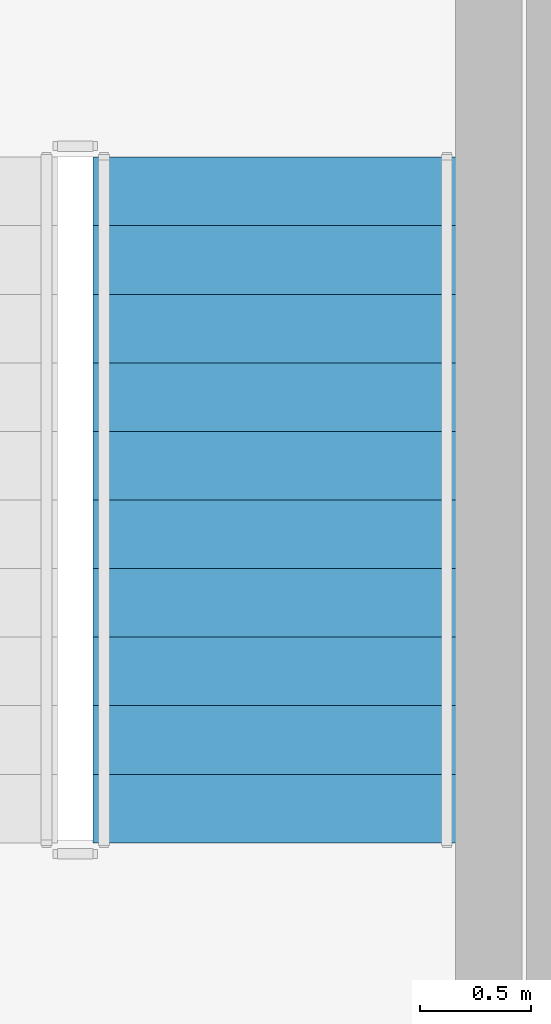
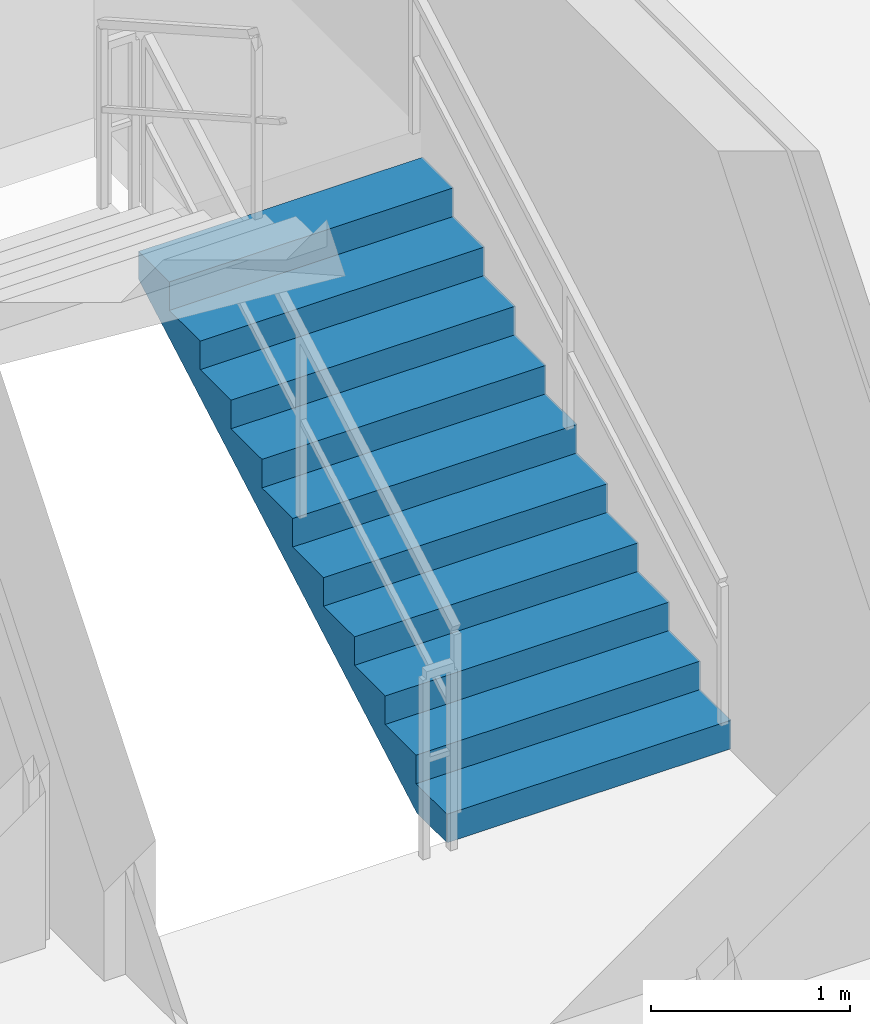
# One storey, part 7 of 12: 1 stair flight, 1 element without a shape of its own.
"""IFC4 building model written with IfcOpenShell, lengths in metres."""

import ifcopenshell
import ifcopenshell.guid

model = None  # the IFC model being written
_history = None  # IfcOwnerHistory: only IFC2X3 demands one
_inside = {}  # id of a spatial element -> (the spatial element, [elements in it])
_under = {}  # id of a project, library or spatial element -> (it, [spatial elements below it])
_declared = {}  # id of a project -> (the project, [libraries it declares])
_typed = {}  # id of a type object -> (the type object, [elements of that type])
_made_of = {}  # id of a material, layer set ... -> (it, [elements and type objects made of it])


def new_model(schema):
    """Start an empty IFC model of exactly this schema.

    Asked for "IFC4X3", IfcOpenShell would pick the latest addendum, in which some entities
    have other attributes; the version numbers below select the first issue.
    IFC2X3 requires an IfcOwnerHistory on every rooted entity: one is made here for all.
    """
    global model, _history
    if schema == "IFC4X3":
        model = ifcopenshell.file(schema_version=(4, 3, 0, 0))
    else:
        model = ifcopenshell.file(schema=schema)
    _inside.clear()
    _under.clear()
    _declared.clear()
    _typed.clear()
    _made_of.clear()
    _history = None
    if model.schema == "IFC2X3":
        org = make("IfcOrganization", Name="unknown")
        user = make(
            "IfcPersonAndOrganization",
            ThePerson=make("IfcPerson", FamilyName="unknown"),
            TheOrganization=org,
        )
        app = make(
            "IfcApplication",
            ApplicationDeveloper=org,
            Version="unknown",
            ApplicationFullName="unknown",
            ApplicationIdentifier="unknown",
        )
        _history = make(
            "IfcOwnerHistory",
            OwningUser=user,
            OwningApplication=app,
            ChangeAction="ADDED",
            CreationDate=0,
        )
    return model


def make(cls, **values):
    """One entity of the class cls with the attributes given. An attribute that is None is left unset."""
    return model.create_entity(
        cls, **{name: value for name, value in values.items() if value is not None}
    )


def rooted(cls, **values):
    """An entity with a GlobalId (a new one), such as an element, a storey or a relation."""
    return make(cls, GlobalId=ifcopenshell.guid.new(), OwnerHistory=_history, **values)


def si_unit(unit_type, name, prefix=None):
    """IfcSIUnit, for example si_unit("LENGTHUNIT", "METRE", prefix="MILLI")."""
    return make("IfcSIUnit", UnitType=unit_type, Prefix=prefix, Name=name)


def assignment(units):
    """IfcUnitAssignment: the units of a project."""
    return None if units is None else make("IfcUnitAssignment", Units=units)


def point(xyz):
    """IfcCartesianPoint."""
    return None if xyz is None else make("IfcCartesianPoint", Coordinates=xyz)


def direction(xyz):
    """IfcDirection."""
    return None if xyz is None else make("IfcDirection", DirectionRatios=xyz)


def frame(location, z_axis=None, x_axis=None):
    """IfcAxis2Placement3D, a coordinate frame: its origin and axes. An axis left out is left unset."""
    return make(
        "IfcAxis2Placement3D",
        Location=point(location),
        Axis=direction(z_axis),
        RefDirection=direction(x_axis),
    )


def origin():
    """The frame at (0, 0, 0) with its axes left unset."""
    return frame((0.0, 0.0, 0.0))


def place(relative_to, where):
    """IfcLocalPlacement: puts the frame where relative to a parent placement (None: the world)."""
    return make(
        "IfcLocalPlacement", PlacementRelTo=relative_to, RelativePlacement=where
    )


def context(
    kind, dimensions, precision=None, world=None, true_north=None, identifier=None
):
    """IfcGeometricRepresentationContext, for example the 3D "Model" context."""
    return make(
        "IfcGeometricRepresentationContext",
        ContextIdentifier=identifier,
        ContextType=kind,
        CoordinateSpaceDimension=dimensions,
        Precision=precision,
        WorldCoordinateSystem=world,
        TrueNorth=true_north,
    )


def subcontext(parent, identifier, kind, view, scale=None):
    """IfcGeometricRepresentationSubContext, for example "Body" below "Model"."""
    return make(
        "IfcGeometricRepresentationSubContext",
        ContextIdentifier=identifier,
        ContextType=kind,
        ParentContext=parent,
        TargetScale=scale,
        TargetView=view,
    )


def project(units=None, contexts=None):
    """IfcProject with its units and contexts."""
    return rooted(
        "IfcProject",
        Name="project",
        RepresentationContexts=contexts,
        UnitsInContext=assignment(units),
    )


def spatial(cls, under=None, at=None, **own):
    """A site, building, storey or space (cls), placed at a placement, below another one or the project."""
    s = rooted(cls, ObjectPlacement=at, **own)
    if under is not None:
        _under.setdefault(under.id(), (under, []))[1].append(s)
    return s


def polyline(points):
    """IfcPolyline through the points."""
    return make("IfcPolyline", Points=[point(p) for p in points])


def outline(outer, holes=None, kind="AREA"):
    """IfcArbitraryClosedProfileDef: a profile drawn as a closed curve; with holes, ...WithVoids."""
    if holes is None:
        return make("IfcArbitraryClosedProfileDef", ProfileType=kind, OuterCurve=outer)
    return make(
        "IfcArbitraryProfileDefWithVoids",
        ProfileType=kind,
        OuterCurve=outer,
        InnerCurves=holes,
    )


def extrude(swept, where, along, depth):
    """IfcExtrudedAreaSolid: the profile swept, set in the frame where, extruded along a direction by depth."""
    return make(
        "IfcExtrudedAreaSolid",
        SweptArea=swept,
        Position=where,
        ExtrudedDirection=direction(along),
        Depth=depth,
    )


def shape(context_of_items, identifier, shape_type, items):
    """IfcShapeRepresentation: the items that make up one representation, for example the "Body"."""
    return make(
        "IfcShapeRepresentation",
        ContextOfItems=context_of_items,
        RepresentationIdentifier=identifier,
        RepresentationType=shape_type,
        Items=items,
    )


def material(Name=None, Category=None):
    """IfcMaterial."""
    return make("IfcMaterial", Name=Name, Category=Category)


def made_of(thing, what):
    """Note that an element or type object is made of a material, layer set ...; save() writes the relation."""
    if what is not None:
        _made_of.setdefault(what.id(), (what, []))[1].append(thing)
    return thing


def type_object(cls, material=None, **own):
    """A type object (cls), such as IfcWallType, which elements share."""
    return made_of(rooted(cls, **own), material)


def element(
    cls,
    number,
    at=None,
    inside=None,
    cuts=None,
    type_object=None,
    material=None,
    context=None,
    identifier="Body",
    shape_type=None,
    held_by="IfcProductDefinitionShape",
    body=None,
    shapes=None,
    **own,
):
    """One element of the class cls, such as IfcWall. Its Tag is "e" and its number.

    at: its placement. inside: the storey or other place that contains it. cuts: it is an
    opening in that element (IfcRelVoidsElement). A single representation is given by context,
    identifier, shape_type and body (its items); several are given by shapes. held_by: the class
    of the entity that holds the representations. save() writes the other relations.
    """
    e = rooted(cls, Tag="e%d" % number, ObjectPlacement=at, **own)
    if body is not None:
        shapes = [shape(context, identifier, shape_type, body)]
    if shapes is not None:
        e.Representation = make(held_by, Representations=shapes)
    if inside is not None:
        _inside.setdefault(inside.id(), (inside, []))[1].append(e)
    if cuts is not None:
        rooted(
            "IfcRelVoidsElement", RelatingBuildingElement=cuts, RelatedOpeningElement=e
        )
    if type_object is not None:
        _typed.setdefault(type_object.id(), (type_object, []))[1].append(e)
    return made_of(e, material)


def aggregate(whole, parts):
    """IfcRelAggregates: a whole, such as a stair, and the parts it consists of."""
    return rooted("IfcRelAggregates", RelatingObject=whole, RelatedObjects=parts)


def save(model, path):
    """Write the relations noted so far, then the file.

    IfcRelAggregates (storeys below a building ...), IfcRelContainedInSpatialStructure (elements
    in a storey), IfcRelDefinesByType, IfcRelAssociatesMaterial and IfcRelDeclares: one each for
    every whole, place, type object, material and project.
    """
    for whole, parts in _under.values():
        aggregate(whole, parts)
    for where, things in _inside.values():
        rooted(
            "IfcRelContainedInSpatialStructure",
            RelatedElements=things,
            RelatingStructure=where,
        )
    for kind, things in _typed.values():
        rooted("IfcRelDefinesByType", RelatedObjects=things, RelatingType=kind)
    for what, things in _made_of.values():
        rooted("IfcRelAssociatesMaterial", RelatedObjects=things, RelatingMaterial=what)
    for by, libraries in _declared.values():
        rooted("IfcRelDeclares", RelatingContext=by, RelatedDefinitions=libraries)
    model.write(path)


model = new_model("IFC4")

# Units and contexts
model_context = context("Model", 3, precision=1e-05, world=origin(), true_north=direction((0.0, 1.0)))
body_context = subcontext(model_context, "Body", "Model", "MODEL_VIEW")
ifc_project = project(units=[si_unit("LENGTHUNIT", "METRE"), si_unit("AREAUNIT", "SQUARE_METRE"), si_unit("VOLUMEUNIT", "CUBIC_METRE"), si_unit("PLANEANGLEUNIT", "RADIAN"), si_unit("MASSUNIT", "GRAM", prefix="KILO")], contexts=[model_context])

# Site, building, storey
site_placement = place(None, origin())
site = spatial("IfcSite", under=ifc_project, at=site_placement, CompositionType="ELEMENT")
building_placement = place(site_placement, origin())
building = spatial("IfcBuilding", under=site, at=building_placement, Name="Kundavana Baori Tower", CompositionType="ELEMENT")
storey_placement = place(building_placement, frame((0.0, 0.0, 173.300048828125)))
storey = spatial("IfcBuildingStorey", under=building, at=storey_placement, Name="L42", CompositionType="ELEMENT", Elevation=173.300048828125)

# Stair, stair flight
ifc_material_1 = material(Name="Concrete C40/50", Category="concrete")
stair_type = type_object("IfcStairType", Name="STR-DOG-1650", PredefinedType="HALF_TURN_STAIR", material=ifc_material_1)
stair_placement = place(storey_placement, origin())
stair = element("IfcStair", 1, at=stair_placement, inside=storey, type_object=stair_type, Name="L42 Protected Exit Stair ST3", PredefinedType="HALF_TURN_STAIR")
ifc_material_2 = material(Name="Concrete C40/50", Category="concrete")
stair_flight_type = type_object("IfcStairFlightType", Name="SFL-RC-1650", PredefinedType="STRAIGHT", material=ifc_material_2)
stair_flight_placement = place(storey_placement, frame((37.7548828125, 34.949951171875, 0.0), z_axis=(0.0, 0.0, 1.0), x_axis=(0.0, 1.0, 0.0)))
stair_flight = element("IfcStairFlight", 2, at=stair_flight_placement, type_object=stair_flight_type, Name="ST3 flight 1", NumberOfRisers=11, NumberOfTreads=10, PredefinedType="STRAIGHT", RiserHeight=0.175, TreadLength=0.31, context=body_context, shape_type="SweptSolid", body=[
    extrude(outline(polyline([(0.0, 0.0), (0.0, 0.175048828125), (0.31005859375, 0.175048828125), (0.31005859375, 0.35009765625), (0.6201171875, 0.35009765625), (0.6201171875, 0.52490234375), (0.929931640625, 0.52490234375), (0.929931640625, 0.699951171875), (1.239990234375, 0.699951171875), (1.239990234375, 0.875), (1.550048828125, 0.875), (1.550048828125, 1.050048828125), (1.860107421875, 1.050048828125), (1.860107421875, 1.22509765625), (2.169921875, 1.22509765625), (2.169921875, 1.39990234375), (2.47998046875, 1.39990234375), (2.47998046875, 1.574951171875), (2.7900390625, 1.574951171875), (2.7900390625, 1.75), (3.10009765625, 1.75), (3.10009765625, 1.925048828125), (3.10009765625, 1.577880859375), (0.304931640625, 0.0), (0.0, 0.0)])), frame((0.0, 0.824951171875, 0.0), z_axis=(0.0, -1.0, 0.0), x_axis=(1.0, 0.0, 0.0)), (0.0, 0.0, 1.0), 1.64990234375),
])
aggregate(stair, [stair_flight])

save(model, "model.ifc")
